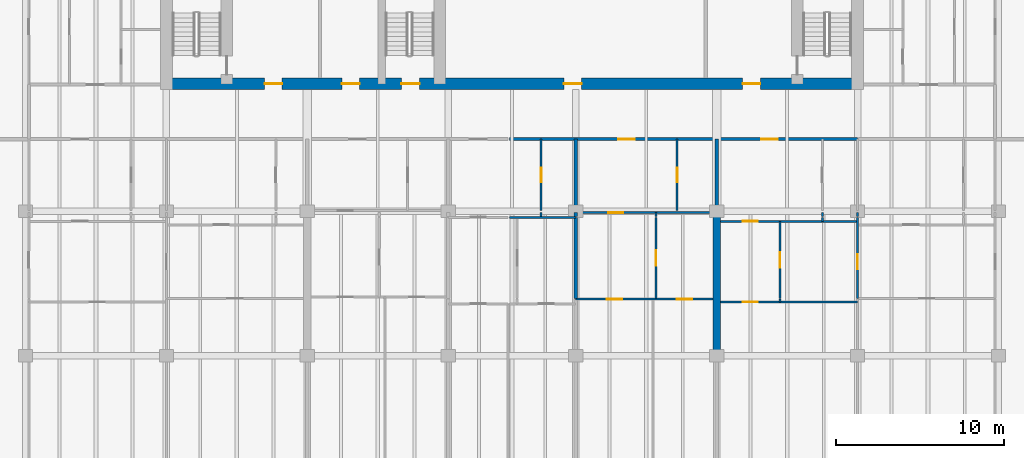
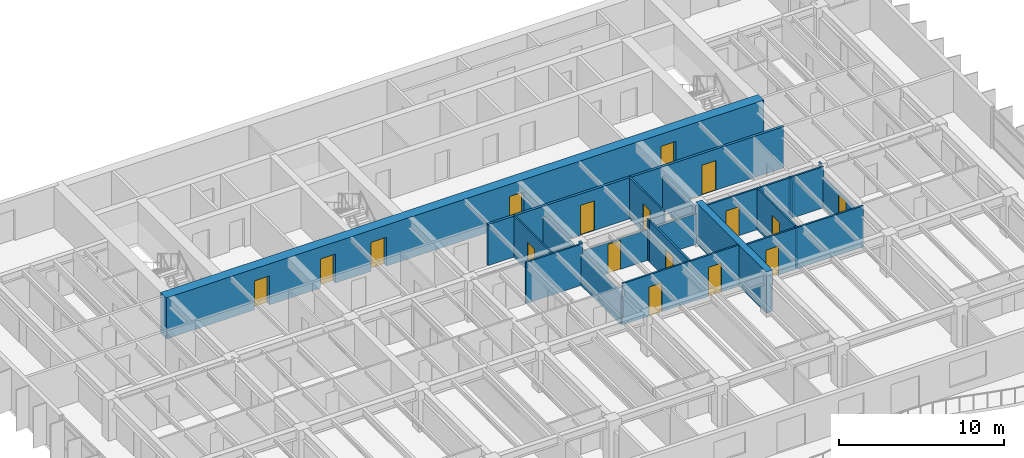
# One storey, part 11 of 19: 23 walls, 17 doors, 17 openings.
"""IFC4 building model written with IfcOpenShell, lengths in metres."""

from ifc_helpers import new_model, si_unit, direction, frame, frame_2d, origin, place, context, subcontext, project, spatial, rectangle, extrude, material, layer, layer_set, type_object, element, fill, save


model = new_model("IFC4")

# Units and contexts
model_context = context("Model", 3, precision=1e-05, world=origin(), true_north=direction((0.0, 1.0)))
body_context = subcontext(model_context, "Body", "Model", "MODEL_VIEW")
ifc_project = project(units=[si_unit("LENGTHUNIT", "METRE"), si_unit("AREAUNIT", "SQUARE_METRE"), si_unit("VOLUMEUNIT", "CUBIC_METRE"), si_unit("PLANEANGLEUNIT", "RADIAN"), si_unit("MASSUNIT", "GRAM", prefix="KILO")], contexts=[model_context])

# Site, building, storey
site_placement = place(None, origin())
site = spatial("IfcSite", under=ifc_project, at=site_placement, CompositionType="ELEMENT")
building_placement = place(site_placement, origin())
building = spatial("IfcBuilding", under=site, at=building_placement, Name="Caelmar Bay Residences", CompositionType="ELEMENT")
storey_placement = place(building_placement, frame((0.0, 0.0, 163.800048828125)))
storey = spatial("IfcBuildingStorey", under=building, at=storey_placement, Name="L45", CompositionType="ELEMENT", Elevation=163.800048828125)

# Wall, openings, doors
ifc_material_1 = material(Name="Concrete f'c 55 MPa (8,000 psi)", Category="concrete")
ifc_layer_1 = layer(ifc_material_1, 0.699951171875)
ifc_layer_set_1 = layer_set([ifc_layer_1], Name="Concrete f'c 55 MPa (8,000 psi)")
wall_type_1 = type_object("IfcWallType", Name="SW-COR-700", PredefinedType="SHEAR", material=ifc_layer_set_1)
wall_1_placement = place(storey_placement, frame((17.949951171875, 37.0, 0.0), z_axis=(0.0, 0.0, 1.0), x_axis=(1.0, 0.0, 0.0)))
wall_1 = element("IfcWall", 1, at=wall_1_placement, inside=storey, type_object=wall_type_1, Name="L45 Rear Core South Shear Wall", PredefinedType="SHEAR", context=body_context, shape_type="SweptSolid", body=[
    extrude(rectangle(XDim=41.900146484375, YDim=0.699951171875, at=frame_2d((20.9501953125, 0.0))), origin(), (0.0, 0.0, 1.0), 3.050048828125),
])
opening_1_placement = place(wall_1_placement, frame((14.35009765625, 0.0, 0.0)))
opening_1 = element("IfcOpeningElement", 2, at=opening_1_placement, cuts=wall_1, Name="Opening D-L45-105", PredefinedType="OPENING", context=body_context, shape_type="SweptSolid", body=[
    extrude(rectangle(XDim=1.10009765625, YDim=2.14990234375, at=frame_2d((0.550048828125, 1.074951171875))), frame((0.0, 0.35986328125, 0.0), z_axis=(0.0, -1.0, 0.0), x_axis=(1.0, 0.0, 0.0)), (0.0, 0.0, 1.0), 0.719970703125),
])
opening_2_placement = place(wall_1_placement, frame((6.199951171875, 0.0, 0.0)))
opening_2 = element("IfcOpeningElement", 3, at=opening_2_placement, cuts=wall_1, Name="Opening D-L45-106", PredefinedType="OPENING", context=body_context, shape_type="SweptSolid", body=[
    extrude(rectangle(XDim=1.050048828125, YDim=2.14990234375, at=frame_2d((0.52490234375, 1.074951171875))), frame((0.0, 0.35986328125, 0.0), z_axis=(0.0, -1.0, 0.0), x_axis=(1.0, 0.0, 0.0)), (0.0, 0.0, 1.0), 0.719970703125),
])
opening_3_placement = place(wall_1_placement, frame((34.699951171875, 0.0, 0.0)))
opening_3 = element("IfcOpeningElement", 4, at=opening_3_placement, cuts=wall_1, Name="Opening D-L45-109", PredefinedType="OPENING", context=body_context, shape_type="SweptSolid", body=[
    extrude(rectangle(XDim=1.050048828125, YDim=2.14990234375, at=frame_2d((0.52490234375, 1.074951171875))), frame((0.0, 0.35986328125, 0.0), z_axis=(0.0, -1.0, 0.0), x_axis=(1.0, 0.0, 0.0)), (0.0, 0.0, 1.0), 0.719970703125),
])
opening_4_placement = place(wall_1_placement, frame((10.8125, 0.0, 0.0)))
opening_4 = element("IfcOpeningElement", 5, at=opening_4_placement, cuts=wall_1, Name="Opening D-L45-112", PredefinedType="OPENING", context=body_context, shape_type="SweptSolid", body=[
    extrude(rectangle(XDim=1.050048828125, YDim=2.14990234375, at=frame_2d((0.52490234375, 1.074951171875))), frame((0.0, 0.35986328125, 0.0), z_axis=(0.0, -1.0, 0.0), x_axis=(1.0, 0.0, 0.0)), (0.0, 0.0, 1.0), 0.719970703125),
])
opening_5_placement = place(wall_1_placement, frame((24.050048828125, 0.0, 0.0)))
opening_5 = element("IfcOpeningElement", 6, at=opening_5_placement, cuts=wall_1, Name="Opening D-L45-113", PredefinedType="OPENING", context=body_context, shape_type="SweptSolid", body=[
    extrude(rectangle(XDim=1.050048828125, YDim=2.14990234375, at=frame_2d((0.52490234375, 1.074951171875))), frame((0.0, 0.35986328125, 0.0), z_axis=(0.0, -1.0, 0.0), x_axis=(1.0, 0.0, 0.0)), (0.0, 0.0, 1.0), 0.719970703125),
])
ifc_material_2 = material(Name="Fire-rated steel and walnut architectural door assembly", Category="steel")
ifc_layer_2 = layer(ifc_material_2, 0.050048828125)
ifc_layer_set_2 = layer_set([ifc_layer_2], Name="Fire-rated steel and walnut architectural door assembly")
door_type_1 = type_object("IfcDoorType", Name="D-FSAE-1050", OperationType="NOTDEFINED", PredefinedType="DOOR", material=ifc_layer_set_2)
door_1_placement = place(opening_2_placement, origin())
door_1 = element("IfcDoor", 7, at=door_1_placement, inside=storey, type_object=door_type_1, Name="L45 Firefighting Lobby West Door", OperationType="SINGLE_SWING_RIGHT", OverallHeight=2.14990234375, OverallWidth=1.050048828125, PredefinedType="DOOR", context=body_context, shape_type="SweptSolid", body=[
    extrude(rectangle(XDim=1.050048828125, YDim=2.14990234375, at=frame_2d((0.52490234375, 1.074951171875))), frame((0.0, 0.02490234375, 0.0), z_axis=(0.0, -1.0, 0.0), x_axis=(1.0, 0.0, 0.0)), (0.0, 0.0, 1.0), 0.050048828125),
])
fill(opening_2, door_1)
door_2_placement = place(opening_3_placement, origin())
door_2 = element("IfcDoor", 8, at=door_2_placement, inside=storey, type_object=door_type_1, Name="L45 Firefighting Lobby East Door", OperationType="SINGLE_SWING_LEFT", OverallHeight=2.14990234375, OverallWidth=1.050048828125, PredefinedType="DOOR", context=body_context, shape_type="SweptSolid", body=[
    extrude(rectangle(XDim=1.050048828125, YDim=2.14990234375, at=frame_2d((0.52490234375, 1.074951171875))), frame((0.0, 0.02490234375, 0.0), z_axis=(0.0, -1.0, 0.0), x_axis=(1.0, 0.0, 0.0)), (0.0, 0.0, 1.0), 0.050048828125),
])
fill(opening_3, door_2)
door_3_placement = place(opening_4_placement, origin())
door_3 = element("IfcDoor", 9, at=door_3_placement, inside=storey, type_object=door_type_1, Name="L45 West Lift Lobby Door", OperationType="SINGLE_SWING_RIGHT", OverallHeight=2.14990234375, OverallWidth=1.050048828125, PredefinedType="DOOR", context=body_context, shape_type="SweptSolid", body=[
    extrude(rectangle(XDim=1.050048828125, YDim=2.14990234375, at=frame_2d((0.52490234375, 1.074951171875))), frame((0.0, 0.02490234375, 0.0), z_axis=(0.0, -1.0, 0.0), x_axis=(1.0, 0.0, 0.0)), (0.0, 0.0, 1.0), 0.050048828125),
])
fill(opening_4, door_3)
door_4_placement = place(opening_5_placement, origin())
door_4 = element("IfcDoor", 10, at=door_4_placement, inside=storey, type_object=door_type_1, Name="L45 Passenger Lift Lobby Door", OperationType="SINGLE_SWING_LEFT", OverallHeight=2.14990234375, OverallWidth=1.050048828125, PredefinedType="DOOR", context=body_context, shape_type="SweptSolid", body=[
    extrude(rectangle(XDim=1.050048828125, YDim=2.14990234375, at=frame_2d((0.52490234375, 1.074951171875))), frame((0.0, 0.02490234375, 0.0), z_axis=(0.0, -1.0, 0.0), x_axis=(1.0, 0.0, 0.0)), (0.0, 0.0, 1.0), 0.050048828125),
])
fill(opening_5, door_4)
ifc_layer_3 = layer(ifc_material_2, 0.050048828125)
ifc_layer_set_3 = layer_set([ifc_layer_3], Name="Fire-rated steel and walnut architectural door assembly")
door_type_2 = type_object("IfcDoorType", Name="D-STAIR-1100", OperationType="NOTDEFINED", PredefinedType="DOOR", material=ifc_layer_set_3)
door_5_placement = place(opening_1_placement, origin())
door_5 = element("IfcDoor", 11, at=door_5_placement, inside=storey, type_object=door_type_2, Name="L45 Exit Stair ST3 Door", OperationType="SINGLE_SWING_LEFT", OverallHeight=2.14990234375, OverallWidth=1.10009765625, PredefinedType="DOOR", context=body_context, shape_type="SweptSolid", body=[
    extrude(rectangle(XDim=1.10009765625, YDim=2.14990234375, at=frame_2d((0.550048828125, 1.074951171875))), frame((0.0, 0.02490234375, 0.0), z_axis=(0.0, -1.0, 0.0), x_axis=(1.0, 0.0, 0.0)), (0.0, 0.0, 1.0), 0.050048828125),
])
fill(opening_1, door_5)

# Wall
ifc_layer_4 = layer(ifc_material_1, 0.449951171875)
ifc_layer_set_4 = layer_set([ifc_layer_4], Name="Concrete f'c 55 MPa (8,000 psi)")
wall_type_2 = type_object("IfcWallType", Name="SW-XSLB-450", PredefinedType="SHEAR", material=ifc_layer_set_4)
wall_2_placement = place(storey_placement, frame((51.10009765625, 20.800048828125, 0.0), z_axis=(0.0, 0.0, 1.0), x_axis=(0.0, 1.0, 0.0)))
element("IfcWall", 12, at=wall_2_placement, inside=storey, type_object=wall_type_2, Name="L45 Transverse Cross-Slab Shear Wall E8", PredefinedType="SHEAR", context=body_context, shape_type="SweptSolid", body=[
    extrude(rectangle(XDim=8.599853515625, YDim=0.449951171875, at=frame_2d((4.2998046875, 0.0))), origin(), (0.0, 0.0, 1.0), 3.050048828125),
])

# Wall, openings, doors
ifc_material_3 = material(Name="Double-stud acoustic fire-rated gypsum partition 180 mm")
ifc_layer_5 = layer(ifc_material_3, 0.179931640625)
ifc_layer_set_5 = layer_set([ifc_layer_5], Name="Double-stud acoustic fire-rated gypsum partition 180 mm")
wall_type_3 = type_object("IfcWallType", Name="W-COR-200", PredefinedType="PARTITIONING", material=ifc_layer_set_5)
wall_3_placement = place(storey_placement, frame((38.75, 33.699951171875, 0.0), z_axis=(0.0, 0.0, 1.0), x_axis=(1.0, 0.0, 0.0)))
wall_3 = element("IfcWall", 13, at=wall_3_placement, inside=storey, type_object=wall_type_3, Name="L45 Partition Wall H116", PredefinedType="PARTITIONING", context=body_context, shape_type="SweptSolid", body=[
    extrude(rectangle(XDim=20.75, YDim=0.179931640625, at=frame_2d((10.375, 0.0))), origin(), (0.0, 0.0, 1.0), 3.050048828125),
])
opening_6_placement = place(wall_3_placement, frame((6.47412109375, 0.0, 0.0)))
opening_6 = element("IfcOpeningElement", 14, at=opening_6_placement, cuts=wall_3, Name="Opening D-L45-145", PredefinedType="OPENING", context=body_context, shape_type="SweptSolid", body=[
    extrude(rectangle(XDim=1.0, YDim=2.199951171875, at=frame_2d((0.5, 1.10009765625))), frame((0.0, 0.099853515625, 0.0), z_axis=(0.0, -1.0, 0.0), x_axis=(1.0, 0.0, 0.0)), (0.0, 0.0, 1.0), 0.199951171875),
])
opening_7_placement = place(wall_3_placement, frame((14.9990234375, 0.0, 0.0)))
opening_7 = element("IfcOpeningElement", 15, at=opening_7_placement, cuts=wall_3, Name="Opening D-L45-152", PredefinedType="OPENING", context=body_context, shape_type="SweptSolid", body=[
    extrude(rectangle(XDim=1.0, YDim=2.199951171875, at=frame_2d((0.5, 1.10009765625))), frame((0.0, 0.099853515625, 0.0), z_axis=(0.0, -1.0, 0.0), x_axis=(1.0, 0.0, 0.0)), (0.0, 0.0, 1.0), 0.199951171875),
])
ifc_layer_6 = layer(ifc_material_2, 0.050048828125)
ifc_layer_set_6 = layer_set([ifc_layer_6], Name="Fire-rated steel and walnut architectural door assembly")
door_type_3 = type_object("IfcDoorType", Name="D-UNIT-1000", OperationType="NOTDEFINED", PredefinedType="DOOR", material=ifc_layer_set_6)
door_6_placement = place(opening_6_placement, origin())
door_6 = element("IfcDoor", 16, at=door_6_placement, inside=storey, type_object=door_type_3, Name="L45 Residence 04 Apartment Hall Door", OperationType="SINGLE_SWING_LEFT", OverallHeight=2.199951171875, OverallWidth=1.0, PredefinedType="DOOR", context=body_context, shape_type="SweptSolid", body=[
    extrude(rectangle(XDim=1.0, YDim=2.199951171875, at=frame_2d((0.5, 1.10009765625))), frame((0.0, 0.02490234375, 0.0), z_axis=(0.0, -1.0, 0.0), x_axis=(1.0, 0.0, 0.0)), (0.0, 0.0, 1.0), 0.050048828125),
])
fill(opening_6, door_6)
door_7_placement = place(opening_7_placement, origin())
door_7 = element("IfcDoor", 17, at=door_7_placement, inside=storey, type_object=door_type_3, Name="L45 Residence 05 Apartment Hall Door", OperationType="SINGLE_SWING_RIGHT", OverallHeight=2.199951171875, OverallWidth=1.0, PredefinedType="DOOR", context=body_context, shape_type="SweptSolid", body=[
    extrude(rectangle(XDim=1.0, YDim=2.199951171875, at=frame_2d((0.5, 1.10009765625))), frame((0.0, 0.02490234375, 0.0), z_axis=(0.0, -1.0, 0.0), x_axis=(1.0, 0.0, 0.0)), (0.0, 0.0, 1.0), 0.050048828125),
])
fill(opening_7, door_7)

# Wall
ifc_material_4 = material(Name="Acoustic metal-stud gypsum partition 120 mm")
ifc_layer_7 = layer(ifc_material_4, 0.1201171875)
ifc_layer_set_7 = layer_set([ifc_layer_7], Name="Acoustic metal-stud gypsum partition 120 mm")
wall_type_4 = type_object("IfcWallType", Name="W-PRT-120", PredefinedType="PARTITIONING", material=ifc_layer_set_7)
wall_4_placement = place(storey_placement, frame((40.639892578125, 29.10009765625, 0.0), z_axis=(0.0, 0.0, 1.0), x_axis=(0.0, 1.0, 0.0)))
element("IfcWall", 18, at=wall_4_placement, inside=storey, type_object=wall_type_4, Name="L45 Partition Wall V045", PredefinedType="PARTITIONING", context=body_context, shape_type="SweptSolid", body=[
    extrude(rectangle(XDim=0.219970703125, YDim=0.1201171875, at=frame_2d((0.10986328125, 0.0))), origin(), (0.0, 0.0, 1.0), 3.050048828125),
])

# Wall, opening, door
wall_5_placement = place(storey_placement, frame((40.639892578125, 29.43994140625, 0.0), z_axis=(0.0, 0.0, 1.0), x_axis=(0.0, 1.0, 0.0)))
wall_5 = element("IfcWall", 19, at=wall_5_placement, inside=storey, type_object=wall_type_4, Name="L45 Partition Wall V046", PredefinedType="PARTITIONING", context=body_context, shape_type="SweptSolid", body=[
    extrude(rectangle(XDim=4.260009765625, YDim=0.1201171875, at=frame_2d((2.1298828125, 0.0))), origin(), (0.0, 0.0, 1.0), 3.050048828125),
])
opening_8_placement = place(wall_5_placement, frame((1.705078125, 0.0, 0.0)))
opening_8 = element("IfcOpeningElement", 20, at=opening_8_placement, cuts=wall_5, Name="Opening D-L45-139", PredefinedType="OPENING", context=body_context, shape_type="SweptSolid", body=[
    extrude(rectangle(XDim=0.85009765625, YDim=2.10009765625, at=frame_2d((0.425048828125, 1.050048828125))), frame((0.0, 0.070068359375, 0.0), z_axis=(0.0, -1.0, 0.0), x_axis=(1.0, 0.0, 0.0)), (0.0, 0.0, 1.0), 0.14013671875),
])
ifc_material_5 = material(Name="Solid walnut timber interior door leaf and frame", Category="wood")
ifc_layer_8 = layer(ifc_material_5, 0.050048828125)
ifc_layer_set_8 = layer_set([ifc_layer_8], Name="Solid walnut timber interior door leaf and frame")
door_type_4 = type_object("IfcDoorType", Name="D-BATH-850", OperationType="NOTDEFINED", PredefinedType="DOOR", material=ifc_layer_set_8)
door_8_placement = place(opening_8_placement, origin())
door_8 = element("IfcDoor", 21, at=door_8_placement, inside=storey, type_object=door_type_4, Name="L45 Residence 03 Bathroom Door", OperationType="SINGLE_SWING_LEFT", OverallHeight=2.10009765625, OverallWidth=0.85009765625, PredefinedType="DOOR", context=body_context, shape_type="SweptSolid", body=[
    extrude(rectangle(XDim=0.85009765625, YDim=2.10009765625, at=frame_2d((0.425048828125, 1.050048828125))), frame((0.0, 0.02490234375, 0.0), z_axis=(0.0, -1.0, 0.0), x_axis=(1.0, 0.0, 0.0)), (0.0, 0.0, 1.0), 0.050048828125),
])
fill(opening_8, door_8)

wall_6_placement = place(storey_placement, frame((47.486083984375, 24.199951171875, 0.0), z_axis=(0.0, 0.0, 1.0), x_axis=(0.0, 1.0, 0.0)))
wall_6 = element("IfcWall", 22, at=wall_6_placement, inside=storey, type_object=wall_type_4, Name="L45 Partition Wall V058", PredefinedType="PARTITIONING", context=body_context, shape_type="SweptSolid", body=[
    extrude(rectangle(XDim=4.840087890625, YDim=0.1201171875, at=frame_2d((2.419921875, 0.0))), origin(), (0.0, 0.0, 1.0), 3.050048828125),
])
opening_9_placement = place(wall_6_placement, frame((1.969970703125, 0.0, 0.0)))
opening_9 = element("IfcOpeningElement", 23, at=opening_9_placement, cuts=wall_6, Name="Opening D-L45-148", PredefinedType="OPENING", context=body_context, shape_type="SweptSolid", body=[
    extrude(rectangle(XDim=0.89990234375, YDim=2.14990234375, at=frame_2d((0.449951171875, 1.074951171875))), frame((0.0, 0.070068359375, 0.0), z_axis=(0.0, -1.0, 0.0), x_axis=(1.0, 0.0, 0.0)), (0.0, 0.0, 1.0), 0.14013671875),
])
ifc_layer_9 = layer(ifc_material_5, 0.050048828125)
ifc_layer_set_9 = layer_set([ifc_layer_9], Name="Solid walnut timber interior door leaf and frame")
door_type_5 = type_object("IfcDoorType", Name="D-ROOM-900", OperationType="NOTDEFINED", PredefinedType="DOOR", material=ifc_layer_set_9)
door_9_placement = place(opening_9_placement, origin())
door_9 = element("IfcDoor", 24, at=door_9_placement, inside=storey, type_object=door_type_5, Name="L45 Residence 04 Home Office Door", OperationType="SINGLE_SWING_RIGHT", OverallHeight=2.14990234375, OverallWidth=0.89990234375, PredefinedType="DOOR", context=body_context, shape_type="SweptSolid", body=[
    extrude(rectangle(XDim=0.89990234375, YDim=2.14990234375, at=frame_2d((0.449951171875, 1.074951171875))), frame((0.0, 0.02490234375, 0.0), z_axis=(0.0, -1.0, 0.0), x_axis=(1.0, 0.0, 0.0)), (0.0, 0.0, 1.0), 0.050048828125),
])
fill(opening_9, door_9)

# Wall
wall_7_placement = place(storey_placement, frame((47.486083984375, 29.10009765625, 0.0), z_axis=(0.0, 0.0, 1.0), x_axis=(0.0, 1.0, 0.0)))
element("IfcWall", 25, at=wall_7_placement, inside=storey, type_object=wall_type_4, Name="L45 Partition Wall V059", PredefinedType="PARTITIONING", context=body_context, shape_type="SweptSolid", body=[
    extrude(rectangle(XDim=0.219970703125, YDim=0.1201171875, at=frame_2d((0.10986328125, 0.0))), origin(), (0.0, 0.0, 1.0), 3.050048828125),
])

# Wall, opening, door
wall_8_placement = place(storey_placement, frame((48.748046875, 29.43994140625, 0.0), z_axis=(0.0, 0.0, 1.0), x_axis=(0.0, 1.0, 0.0)))
wall_8 = element("IfcWall", 26, at=wall_8_placement, inside=storey, type_object=wall_type_4, Name="L45 Partition Wall V061", PredefinedType="PARTITIONING", context=body_context, shape_type="SweptSolid", body=[
    extrude(rectangle(XDim=4.260009765625, YDim=0.1201171875, at=frame_2d((2.1298828125, 0.0))), origin(), (0.0, 0.0, 1.0), 3.050048828125),
])
opening_10_placement = place(wall_8_placement, frame((1.705078125, 0.0, 0.0)))
opening_10 = element("IfcOpeningElement", 27, at=opening_10_placement, cuts=wall_8, Name="Opening D-L45-146", PredefinedType="OPENING", context=body_context, shape_type="SweptSolid", body=[
    extrude(rectangle(XDim=0.85009765625, YDim=2.10009765625, at=frame_2d((0.425048828125, 1.050048828125))), frame((0.0, 0.070068359375, 0.0), z_axis=(0.0, -1.0, 0.0), x_axis=(1.0, 0.0, 0.0)), (0.0, 0.0, 1.0), 0.14013671875),
])
door_10_placement = place(opening_10_placement, origin())
door_10 = element("IfcDoor", 28, at=door_10_placement, inside=storey, type_object=door_type_4, Name="L45 Residence 04 Bathroom Door", OperationType="SINGLE_SWING_RIGHT", OverallHeight=2.10009765625, OverallWidth=0.85009765625, PredefinedType="DOOR", context=body_context, shape_type="SweptSolid", body=[
    extrude(rectangle(XDim=0.85009765625, YDim=2.10009765625, at=frame_2d((0.425048828125, 1.050048828125))), frame((0.0, 0.02490234375, 0.0), z_axis=(0.0, -1.0, 0.0), x_axis=(1.0, 0.0, 0.0)), (0.0, 0.0, 1.0), 0.050048828125),
])
fill(opening_10, door_10)

# Wall
wall_9_placement = place(storey_placement, frame((54.8798828125, 24.0, 0.0), z_axis=(0.0, 0.0, 1.0), x_axis=(0.0, 1.0, 0.0)))
element("IfcWall", 29, at=wall_9_placement, inside=storey, type_object=wall_type_4, Name="L45 Partition Wall V069", PredefinedType="PARTITIONING", context=body_context, shape_type="SweptSolid", body=[
    extrude(rectangle(XDim=0.169921875, YDim=0.1201171875, at=frame_2d((0.0849609375, 0.0))), origin(), (0.0, 0.0, 1.0), 3.050048828125),
])

# Wall, opening, door
wall_10_placement = place(storey_placement, frame((54.8798828125, 24.199951171875, 0.0), z_axis=(0.0, 0.0, 1.0), x_axis=(0.0, 1.0, 0.0)))
wall_10 = element("IfcWall", 30, at=wall_10_placement, inside=storey, type_object=wall_type_4, Name="L45 Partition Wall V070", PredefinedType="PARTITIONING", context=body_context, shape_type="SweptSolid", body=[
    extrude(rectangle(XDim=4.60009765625, YDim=0.1201171875, at=frame_2d((2.300048828125, 0.0))), origin(), (0.0, 0.0, 1.0), 3.050048828125),
])
opening_11_placement = place(wall_10_placement, frame((1.85009765625, 0.0, 0.0)))
opening_11 = element("IfcOpeningElement", 31, at=opening_11_placement, cuts=wall_10, Name="Opening D-L45-155", PredefinedType="OPENING", context=body_context, shape_type="SweptSolid", body=[
    extrude(rectangle(XDim=0.89990234375, YDim=2.14990234375, at=frame_2d((0.449951171875, 1.074951171875))), frame((0.0, 0.070068359375, 0.0), z_axis=(0.0, -1.0, 0.0), x_axis=(1.0, 0.0, 0.0)), (0.0, 0.0, 1.0), 0.14013671875),
])
door_11_placement = place(opening_11_placement, origin())
door_11 = element("IfcDoor", 32, at=door_11_placement, inside=storey, type_object=door_type_5, Name="L45 Residence 05 Kitchen Door", OperationType="SINGLE_SWING_LEFT", OverallHeight=2.14990234375, OverallWidth=0.89990234375, PredefinedType="DOOR", context=body_context, shape_type="SweptSolid", body=[
    extrude(rectangle(XDim=0.89990234375, YDim=2.14990234375, at=frame_2d((0.449951171875, 1.074951171875))), frame((0.0, 0.02490234375, 0.0), z_axis=(0.0, -1.0, 0.0), x_axis=(1.0, 0.0, 0.0)), (0.0, 0.0, 1.0), 0.050048828125),
])
fill(opening_11, door_11)

# Walls
wall_11_placement = place(storey_placement, frame((57.39794921875, 28.800048828125, 0.0), z_axis=(0.0, 0.0, 1.0), x_axis=(0.0, 1.0, 0.0)))
element("IfcWall", 33, at=wall_11_placement, inside=storey, type_object=wall_type_4, Name="L45 Partition Wall V072", PredefinedType="PARTITIONING", context=body_context, shape_type="SweptSolid", body=[
    extrude(rectangle(XDim=0.239990234375, YDim=0.1201171875, at=frame_2d((0.1201171875, 0.0))), origin(), (0.0, 0.0, 1.0), 2.724853515625),
])
wall_12_placement = place(storey_placement, frame((57.39794921875, 29.10009765625, 0.0), z_axis=(0.0, 0.0, 1.0), x_axis=(0.0, 1.0, 0.0)))
element("IfcWall", 34, at=wall_12_placement, inside=storey, type_object=wall_type_4, Name="L45 Partition Wall V073", PredefinedType="PARTITIONING", context=body_context, shape_type="SweptSolid", body=[
    extrude(rectangle(XDim=0.219970703125, YDim=0.1201171875, at=frame_2d((0.10986328125, 0.0))), origin(), (0.0, 0.0, 1.0), 2.724853515625),
])

# Wall, opening, door
wall_13_placement = place(storey_placement, frame((59.5, 24.199951171875, 0.0), z_axis=(0.0, 0.0, 1.0), x_axis=(0.0, 1.0, 0.0)))
wall_13 = element("IfcWall", 35, at=wall_13_placement, inside=storey, type_object=wall_type_4, Name="L45 Partition Wall V077", PredefinedType="PARTITIONING", context=body_context, shape_type="SweptSolid", body=[
    extrude(rectangle(XDim=4.840087890625, YDim=0.1201171875, at=frame_2d((2.419921875, 0.0))), origin(), (0.0, 0.0, 1.0), 2.262939453125),
])
opening_12_placement = place(wall_13_placement, frame((1.75, 0.0, 0.0)))
opening_12 = element("IfcOpeningElement", 36, at=opening_12_placement, cuts=wall_13, Name="Opening D-L45-157", PredefinedType="OPENING", context=body_context, shape_type="SweptSolid", body=[
    extrude(rectangle(XDim=0.89990234375, YDim=2.14990234375, at=frame_2d((0.449951171875, 1.074951171875))), frame((0.0, 0.070068359375, 0.0), z_axis=(0.0, -1.0, 0.0), x_axis=(1.0, 0.0, 0.0)), (0.0, 0.0, 1.0), 0.14013671875),
])
door_12_placement = place(opening_12_placement, origin())
door_12 = element("IfcDoor", 37, at=door_12_placement, inside=storey, type_object=door_type_5, Name="L45 Residence 05 Library Study 1 Door", OperationType="SINGLE_SWING_LEFT", OverallHeight=2.14990234375, OverallWidth=0.89990234375, PredefinedType="DOOR", context=body_context, shape_type="SweptSolid", body=[
    extrude(rectangle(XDim=0.89990234375, YDim=2.14990234375, at=frame_2d((0.449951171875, 1.074951171875))), frame((0.0, 0.02490234375, 0.0), z_axis=(0.0, -1.0, 0.0), x_axis=(1.0, 0.0, 0.0)), (0.0, 0.0, 1.0), 0.050048828125),
])
fill(opening_12, door_12)

# Wall
wall_14_placement = place(storey_placement, frame((59.5, 29.10009765625, 0.0), z_axis=(0.0, 0.0, 1.0), x_axis=(0.0, 1.0, 0.0)))
element("IfcWall", 38, at=wall_14_placement, inside=storey, type_object=wall_type_4, Name="L45 Partition Wall V078", PredefinedType="PARTITIONING", context=body_context, shape_type="SweptSolid", body=[
    extrude(rectangle(XDim=0.219970703125, YDim=0.1201171875, at=frame_2d((0.10986328125, 0.0))), origin(), (0.0, 0.0, 1.0), 3.050048828125),
])

# Wall, opening, door
wall_15_placement = place(storey_placement, frame((51.320068359375, 24.0, 0.0), z_axis=(0.0, 0.0, 1.0), x_axis=(1.0, 0.0, 0.0)))
wall_15 = element("IfcWall", 39, at=wall_15_placement, inside=storey, type_object=wall_type_4, Name="L45 Partition Wall H100", PredefinedType="PARTITIONING", context=body_context, shape_type="SweptSolid", body=[
    extrude(rectangle(XDim=8.179931640625, YDim=0.1201171875, at=frame_2d((4.08984375, 0.0))), origin(), (0.0, 0.0, 1.0), 3.050048828125),
])
opening_13_placement = place(wall_15_placement, frame((1.330078125, 0.0, 0.0)))
opening_13 = element("IfcOpeningElement", 40, at=opening_13_placement, cuts=wall_15, Name="Opening D-L45-156", PredefinedType="OPENING", context=body_context, shape_type="SweptSolid", body=[
    extrude(rectangle(XDim=0.89990234375, YDim=2.14990234375, at=frame_2d((0.449951171875, 1.074951171875))), frame((0.0, 0.070068359375, 0.0), z_axis=(0.0, -1.0, 0.0), x_axis=(1.0, 0.0, 0.0)), (0.0, 0.0, 1.0), 0.14013671875),
])
door_13_placement = place(opening_13_placement, origin())
door_13 = element("IfcDoor", 41, at=door_13_placement, inside=storey, type_object=door_type_5, Name="L45 Residence 05 Penthouse Living Salon Door", OperationType="SINGLE_SWING_RIGHT", OverallHeight=2.14990234375, OverallWidth=0.89990234375, PredefinedType="DOOR", context=body_context, shape_type="SweptSolid", body=[
    extrude(rectangle(XDim=0.89990234375, YDim=2.14990234375, at=frame_2d((0.449951171875, 1.074951171875))), frame((0.0, 0.02490234375, 0.0), z_axis=(0.0, -1.0, 0.0), x_axis=(1.0, 0.0, 0.0)), (0.0, 0.0, 1.0), 0.050048828125),
])
fill(opening_13, door_13)

# Wall, openings, doors
wall_16_placement = place(storey_placement, frame((42.699951171875, 24.169921875, 0.0), z_axis=(0.0, 0.0, 1.0), x_axis=(1.0, 0.0, 0.0)))
wall_16 = element("IfcWall", 42, at=wall_16_placement, inside=storey, type_object=wall_type_4, Name="L45 Partition Wall H101", PredefinedType="PARTITIONING", context=body_context, shape_type="SweptSolid", body=[
    extrude(rectangle(XDim=8.179931640625, YDim=0.1201171875, at=frame_2d((4.08984375, 0.0))), origin(), (0.0, 0.0, 1.0), 3.050048828125),
])
opening_14_placement = place(wall_16_placement, frame((1.860107421875, 0.0, 0.0)))
opening_14 = element("IfcOpeningElement", 43, at=opening_14_placement, cuts=wall_16, Name="Opening D-L45-149", PredefinedType="OPENING", context=body_context, shape_type="SweptSolid", body=[
    extrude(rectangle(XDim=0.89990234375, YDim=2.14990234375, at=frame_2d((0.449951171875, 1.074951171875))), frame((0.0, 0.070068359375, 0.0), z_axis=(0.0, -1.0, 0.0), x_axis=(1.0, 0.0, 0.0)), (0.0, 0.0, 1.0), 0.14013671875),
])
opening_15_placement = place(wall_16_placement, frame((6.032958984375, 0.0, 0.0)))
opening_15 = element("IfcOpeningElement", 44, at=opening_15_placement, cuts=wall_16, Name="Opening D-L45-150", PredefinedType="OPENING", context=body_context, shape_type="SweptSolid", body=[
    extrude(rectangle(XDim=0.89990234375, YDim=2.14990234375, at=frame_2d((0.449951171875, 1.074951171875))), frame((0.0, 0.070068359375, 0.0), z_axis=(0.0, -1.0, 0.0), x_axis=(1.0, 0.0, 0.0)), (0.0, 0.0, 1.0), 0.14013671875),
])
door_14_placement = place(opening_14_placement, origin())
door_14 = element("IfcDoor", 45, at=door_14_placement, inside=storey, type_object=door_type_5, Name="L45 Residence 04 Living Room Door", OperationType="SINGLE_SWING_LEFT", OverallHeight=2.14990234375, OverallWidth=0.89990234375, PredefinedType="DOOR", context=body_context, shape_type="SweptSolid", body=[
    extrude(rectangle(XDim=0.89990234375, YDim=2.14990234375, at=frame_2d((0.449951171875, 1.074951171875))), frame((0.0, 0.02490234375, 0.0), z_axis=(0.0, -1.0, 0.0), x_axis=(1.0, 0.0, 0.0)), (0.0, 0.0, 1.0), 0.050048828125),
])
fill(opening_14, door_14)
door_15_placement = place(opening_15_placement, origin())
door_15 = element("IfcDoor", 46, at=door_15_placement, inside=storey, type_object=door_type_5, Name="L45 Residence 04 Penthouse Sitting Room Door", OperationType="SINGLE_SWING_RIGHT", OverallHeight=2.14990234375, OverallWidth=0.89990234375, PredefinedType="DOOR", context=body_context, shape_type="SweptSolid", body=[
    extrude(rectangle(XDim=0.89990234375, YDim=2.14990234375, at=frame_2d((0.449951171875, 1.074951171875))), frame((0.0, 0.02490234375, 0.0), z_axis=(0.0, -1.0, 0.0), x_axis=(1.0, 0.0, 0.0)), (0.0, 0.0, 1.0), 0.050048828125),
])
fill(opening_15, door_15)

# Wall, opening, door
wall_17_placement = place(storey_placement, frame((51.320068359375, 28.800048828125, 0.0), z_axis=(0.0, 0.0, 1.0), x_axis=(1.0, 0.0, 0.0)))
wall_17 = element("IfcWall", 47, at=wall_17_placement, inside=storey, type_object=wall_type_4, Name="L45 Partition Wall H108", PredefinedType="PARTITIONING", context=body_context, shape_type="SweptSolid", body=[
    extrude(rectangle(XDim=8.179931640625, YDim=0.1201171875, at=frame_2d((4.08984375, 0.0))), origin(), (0.0, 0.0, 1.0), 3.050048828125),
])
opening_16_placement = place(wall_17_placement, frame((1.330078125, 0.0, 0.0)))
opening_16 = element("IfcOpeningElement", 48, at=opening_16_placement, cuts=wall_17, Name="Opening D-L45-154", PredefinedType="OPENING", context=body_context, shape_type="SweptSolid", body=[
    extrude(rectangle(XDim=0.89990234375, YDim=2.14990234375, at=frame_2d((0.449951171875, 1.074951171875))), frame((0.0, 0.070068359375, 0.0), z_axis=(0.0, -1.0, 0.0), x_axis=(1.0, 0.0, 0.0)), (0.0, 0.0, 1.0), 0.14013671875),
])
door_16_placement = place(opening_16_placement, origin())
door_16 = element("IfcDoor", 49, at=door_16_placement, inside=storey, type_object=door_type_5, Name="L45 Residence 05 Dining Room Door", OperationType="SINGLE_SWING_RIGHT", OverallHeight=2.14990234375, OverallWidth=0.89990234375, PredefinedType="DOOR", context=body_context, shape_type="SweptSolid", body=[
    extrude(rectangle(XDim=0.89990234375, YDim=2.14990234375, at=frame_2d((0.449951171875, 1.074951171875))), frame((0.0, 0.02490234375, 0.0), z_axis=(0.0, -1.0, 0.0), x_axis=(1.0, 0.0, 0.0)), (0.0, 0.0, 1.0), 0.050048828125),
])
fill(opening_16, door_16)

# Wall
wall_18_placement = place(storey_placement, frame((38.75, 29.0400390625, 0.0), z_axis=(0.0, 0.0, 1.0), x_axis=(1.0, 0.0, 0.0)))
element("IfcWall", 50, at=wall_18_placement, inside=storey, type_object=wall_type_4, Name="L45 Partition Wall H110", PredefinedType="PARTITIONING", context=body_context, shape_type="SweptSolid", body=[
    extrude(rectangle(XDim=3.949951171875, YDim=0.1201171875, at=frame_2d((1.97509765625, 0.0))), origin(), (0.0, 0.0, 1.0), 3.050048828125),
])

# Wall, opening, door
wall_19_placement = place(storey_placement, frame((42.699951171875, 29.320068359375, 0.0), z_axis=(0.0, 0.0, 1.0), x_axis=(1.0, 0.0, 0.0)))
wall_19 = element("IfcWall", 51, at=wall_19_placement, inside=storey, type_object=wall_type_4, Name="L45 Partition Wall H111", PredefinedType="PARTITIONING", context=body_context, shape_type="SweptSolid", body=[
    extrude(rectangle(XDim=8.179931640625, YDim=0.1201171875, at=frame_2d((4.08984375, 0.0))), origin(), (0.0, 0.0, 1.0), 2.262939453125),
])
opening_17_placement = place(wall_19_placement, frame((1.943115234375, 0.0, 0.0)))
opening_17 = element("IfcOpeningElement", 52, at=opening_17_placement, cuts=wall_19, Name="Opening D-L45-147", PredefinedType="OPENING", context=body_context, shape_type="SweptSolid", body=[
    extrude(rectangle(XDim=0.89990234375, YDim=2.14990234375, at=frame_2d((0.449951171875, 1.074951171875))), frame((0.0, 0.070068359375, 0.0), z_axis=(0.0, -1.0, 0.0), x_axis=(1.0, 0.0, 0.0)), (0.0, 0.0, 1.0), 0.14013671875),
])
door_17_placement = place(opening_17_placement, origin())
door_17 = element("IfcDoor", 53, at=door_17_placement, inside=storey, type_object=door_type_5, Name="L45 Residence 04 Kitchen Door", OperationType="SINGLE_SWING_LEFT", OverallHeight=2.14990234375, OverallWidth=0.89990234375, PredefinedType="DOOR", context=body_context, shape_type="SweptSolid", body=[
    extrude(rectangle(XDim=0.89990234375, YDim=2.14990234375, at=frame_2d((0.449951171875, 1.074951171875))), frame((0.0, 0.02490234375, 0.0), z_axis=(0.0, -1.0, 0.0), x_axis=(1.0, 0.0, 0.0)), (0.0, 0.0, 1.0), 0.050048828125),
])
fill(opening_17, door_17)

# Walls
ifc_material_6 = material(Name="Acoustic twin-stud fire-rated inter-tenancy partition 200 mm")
ifc_layer_10 = layer(ifc_material_6, 0.199951171875)
ifc_layer_set_10 = layer_set([ifc_layer_10], Name="Acoustic twin-stud fire-rated inter-tenancy partition 200 mm")
wall_type_5 = type_object("IfcWallType", Name="W-PTY-200", PredefinedType="PARTITIONING", material=ifc_layer_set_10)
wall_20_placement = place(storey_placement, frame((42.699951171875, 24.199951171875, 0.0), z_axis=(0.0, 0.0, 1.0), x_axis=(0.0, 1.0, 0.0)))
element("IfcWall", 54, at=wall_20_placement, inside=storey, type_object=wall_type_5, Name="L45 Partition Wall V050", PredefinedType="PARTITIONING", context=body_context, shape_type="SweptSolid", body=[
    extrude(rectangle(XDim=4.840087890625, YDim=0.199951171875, at=frame_2d((2.419921875, 0.0))), origin(), (0.0, 0.0, 1.0), 2.262939453125),
])
wall_21_placement = place(storey_placement, frame((42.699951171875, 29.10009765625, 0.0), z_axis=(0.0, 0.0, 1.0), x_axis=(0.0, 1.0, 0.0)))
element("IfcWall", 55, at=wall_21_placement, inside=storey, type_object=wall_type_5, Name="L45 Partition Wall V051", PredefinedType="PARTITIONING", context=body_context, shape_type="SweptSolid", body=[
    extrude(rectangle(XDim=0.219970703125, YDim=0.199951171875, at=frame_2d((0.10986328125, 0.0))), origin(), (0.0, 0.0, 1.0), 3.050048828125),
])
wall_22_placement = place(storey_placement, frame((42.699951171875, 29.43994140625, 0.0), z_axis=(0.0, 0.0, 1.0), x_axis=(0.0, 1.0, 0.0)))
element("IfcWall", 56, at=wall_22_placement, inside=storey, type_object=wall_type_5, Name="L45 Partition Wall V052", PredefinedType="PARTITIONING", context=body_context, shape_type="SweptSolid", body=[
    extrude(rectangle(XDim=4.260009765625, YDim=0.199951171875, at=frame_2d((2.1298828125, 0.0))), origin(), (0.0, 0.0, 1.0), 2.262939453125),
])
wall_23_placement = place(storey_placement, frame((51.10009765625, 29.43994140625, 0.0), z_axis=(0.0, 0.0, 1.0), x_axis=(0.0, 1.0, 0.0)))
element("IfcWall", 57, at=wall_23_placement, inside=storey, type_object=wall_type_5, Name="L45 Partition Wall V067", PredefinedType="PARTITIONING", context=body_context, shape_type="SweptSolid", body=[
    extrude(rectangle(XDim=4.260009765625, YDim=0.199951171875, at=frame_2d((2.1298828125, 0.0))), origin(), (0.0, 0.0, 1.0), 2.3349609375),
])

save(model, "model.ifc")
